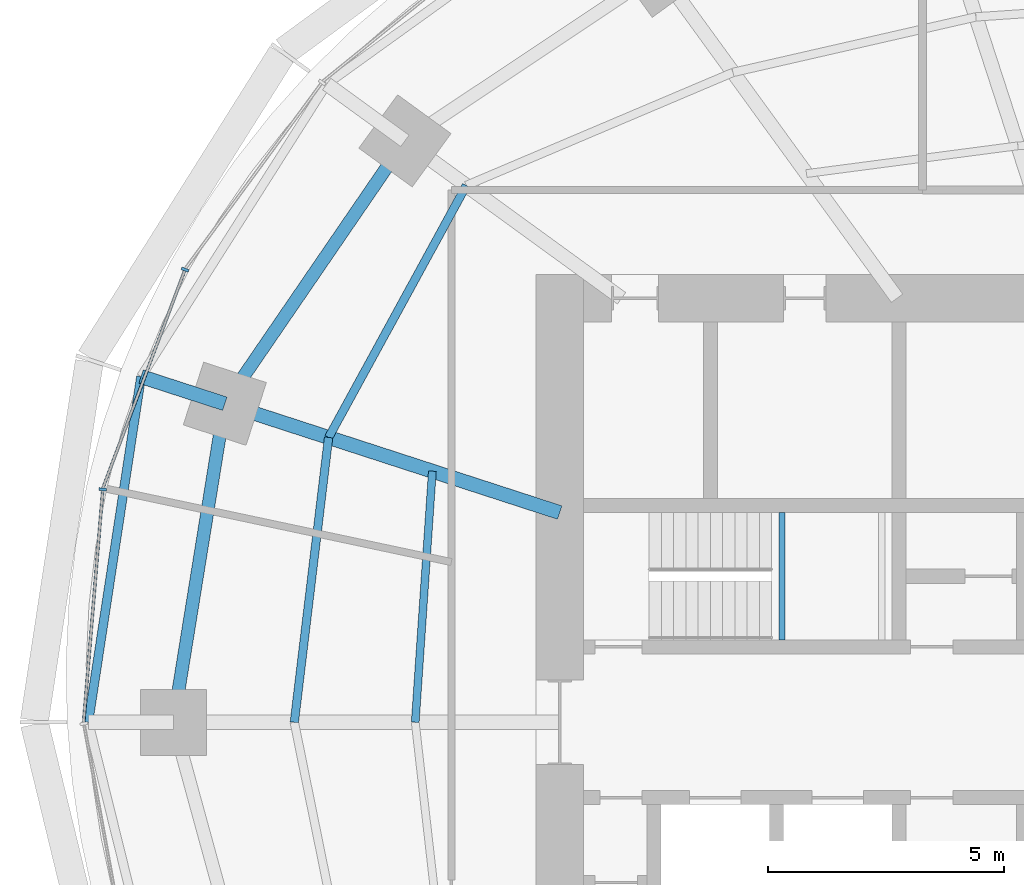
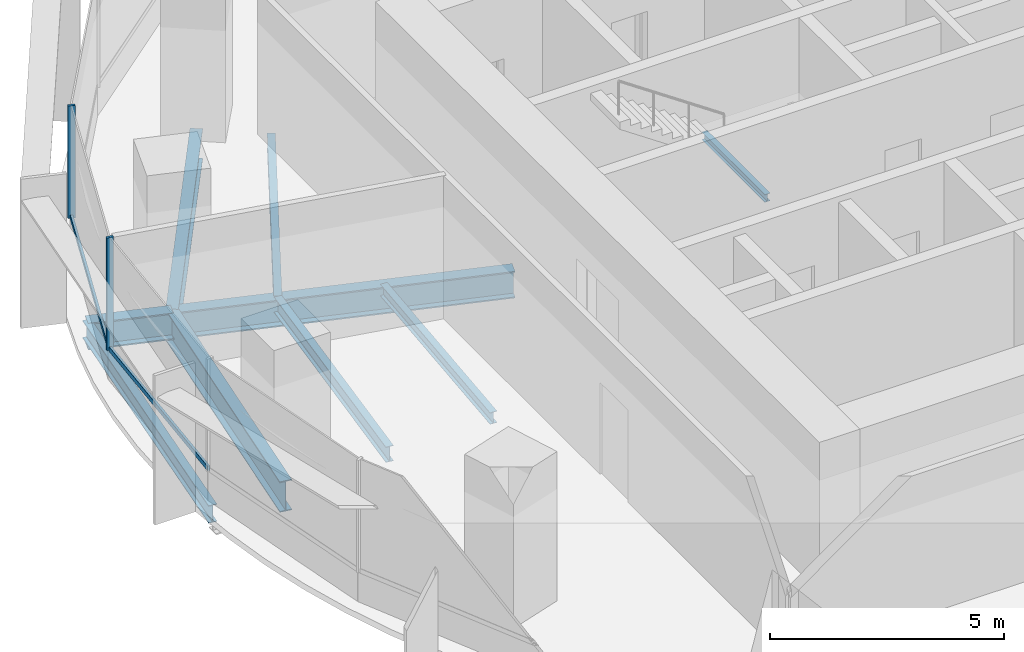
# One storey, part 4 of 15: 9 beams, 4 members, 1 element without a shape of its own.
"""IFC4 building model written with IfcOpenShell, lengths in metres."""

import ifcopenshell
import ifcopenshell.guid

model = None  # the IFC model being written
_history = None  # IfcOwnerHistory: only IFC2X3 demands one
_inside = {}  # id of a spatial element -> (the spatial element, [elements in it])
_under = {}  # id of a project, library or spatial element -> (it, [spatial elements below it])
_declared = {}  # id of a project -> (the project, [libraries it declares])
_typed = {}  # id of a type object -> (the type object, [elements of that type])
_made_of = {}  # id of a material, layer set ... -> (it, [elements and type objects made of it])


def new_model(schema):
    """Start an empty IFC model of exactly this schema.

    Asked for "IFC4X3", IfcOpenShell would pick the latest addendum, in which some entities
    have other attributes; the version numbers below select the first issue.
    IFC2X3 requires an IfcOwnerHistory on every rooted entity: one is made here for all.
    """
    global model, _history
    if schema == "IFC4X3":
        model = ifcopenshell.file(schema_version=(4, 3, 0, 0))
    else:
        model = ifcopenshell.file(schema=schema)
    _inside.clear()
    _under.clear()
    _declared.clear()
    _typed.clear()
    _made_of.clear()
    _history = None
    if model.schema == "IFC2X3":
        org = make("IfcOrganization", Name="unknown")
        user = make(
            "IfcPersonAndOrganization",
            ThePerson=make("IfcPerson", FamilyName="unknown"),
            TheOrganization=org,
        )
        app = make(
            "IfcApplication",
            ApplicationDeveloper=org,
            Version="unknown",
            ApplicationFullName="unknown",
            ApplicationIdentifier="unknown",
        )
        _history = make(
            "IfcOwnerHistory",
            OwningUser=user,
            OwningApplication=app,
            ChangeAction="ADDED",
            CreationDate=0,
        )
    return model


def make(cls, **values):
    """One entity of the class cls with the attributes given. An attribute that is None is left unset."""
    return model.create_entity(
        cls, **{name: value for name, value in values.items() if value is not None}
    )


def rooted(cls, **values):
    """An entity with a GlobalId (a new one), such as an element, a storey or a relation."""
    return make(cls, GlobalId=ifcopenshell.guid.new(), OwnerHistory=_history, **values)


def si_unit(unit_type, name, prefix=None):
    """IfcSIUnit, for example si_unit("LENGTHUNIT", "METRE", prefix="MILLI")."""
    return make("IfcSIUnit", UnitType=unit_type, Prefix=prefix, Name=name)


def assignment(units):
    """IfcUnitAssignment: the units of a project."""
    return None if units is None else make("IfcUnitAssignment", Units=units)


def point(xyz):
    """IfcCartesianPoint."""
    return None if xyz is None else make("IfcCartesianPoint", Coordinates=xyz)


def direction(xyz):
    """IfcDirection."""
    return None if xyz is None else make("IfcDirection", DirectionRatios=xyz)


def frame(location, z_axis=None, x_axis=None):
    """IfcAxis2Placement3D, a coordinate frame: its origin and axes. An axis left out is left unset."""
    return make(
        "IfcAxis2Placement3D",
        Location=point(location),
        Axis=direction(z_axis),
        RefDirection=direction(x_axis),
    )


def frame_2d(location, x_axis=None):
    """IfcAxis2Placement2D, a coordinate frame in the plane: its origin and x axis."""
    return make(
        "IfcAxis2Placement2D", Location=point(location), RefDirection=direction(x_axis)
    )


def origin():
    """The frame at (0, 0, 0) with its axes left unset."""
    return frame((0.0, 0.0, 0.0))


def origin_2d():
    """The frame at (0, 0) in the plane with its x axis left unset."""
    return frame_2d((0.0, 0.0))


def place(relative_to, where):
    """IfcLocalPlacement: puts the frame where relative to a parent placement (None: the world)."""
    return make(
        "IfcLocalPlacement", PlacementRelTo=relative_to, RelativePlacement=where
    )


def context(
    kind, dimensions, precision=None, world=None, true_north=None, identifier=None
):
    """IfcGeometricRepresentationContext, for example the 3D "Model" context."""
    return make(
        "IfcGeometricRepresentationContext",
        ContextIdentifier=identifier,
        ContextType=kind,
        CoordinateSpaceDimension=dimensions,
        Precision=precision,
        WorldCoordinateSystem=world,
        TrueNorth=true_north,
    )


def subcontext(parent, identifier, kind, view, scale=None):
    """IfcGeometricRepresentationSubContext, for example "Body" below "Model"."""
    return make(
        "IfcGeometricRepresentationSubContext",
        ContextIdentifier=identifier,
        ContextType=kind,
        ParentContext=parent,
        TargetScale=scale,
        TargetView=view,
    )


def project(units=None, contexts=None):
    """IfcProject with its units and contexts."""
    return rooted(
        "IfcProject",
        Name="project",
        RepresentationContexts=contexts,
        UnitsInContext=assignment(units),
    )


def spatial(cls, under=None, at=None, **own):
    """A site, building, storey or space (cls), placed at a placement, below another one or the project."""
    s = rooted(cls, ObjectPlacement=at, **own)
    if under is not None:
        _under.setdefault(under.id(), (under, []))[1].append(s)
    return s


def profile(cls, at=None, kind="AREA", **sizes):
    """A parametric profile (cls). Its sizes go by their IFC names, for example OverallWidth=200.0."""
    return make(cls, ProfileType=kind, Position=at, **sizes)


def rectangle(**sizes):
    """IfcRectangleProfileDef."""
    return profile("IfcRectangleProfileDef", **sizes)


def i_section(**sizes):
    """IfcIShapeProfileDef."""
    return profile("IfcIShapeProfileDef", **sizes)


def extrude(swept, where, along, depth):
    """IfcExtrudedAreaSolid: the profile swept, set in the frame where, extruded along a direction by depth."""
    return make(
        "IfcExtrudedAreaSolid",
        SweptArea=swept,
        Position=where,
        ExtrudedDirection=direction(along),
        Depth=depth,
    )


def shape(context_of_items, identifier, shape_type, items):
    """IfcShapeRepresentation: the items that make up one representation, for example the "Body"."""
    return make(
        "IfcShapeRepresentation",
        ContextOfItems=context_of_items,
        RepresentationIdentifier=identifier,
        RepresentationType=shape_type,
        Items=items,
    )


def material(Name=None, Category=None):
    """IfcMaterial."""
    return make("IfcMaterial", Name=Name, Category=Category)


def material_profile(
    of_material, cross_section, Name=None, Category=None, Priority=None
):
    """IfcMaterialProfile: a cross section and its material."""
    return make(
        "IfcMaterialProfile",
        Name=Name,
        Material=of_material,
        Profile=cross_section,
        Priority=Priority,
        Category=Category,
    )


def profile_set(profiles, Name=None, composite=None):
    """IfcMaterialProfileSet."""
    return make(
        "IfcMaterialProfileSet",
        Name=Name,
        MaterialProfiles=profiles,
        CompositeProfile=composite,
    )


def made_of(thing, what):
    """Note that an element or type object is made of a material, layer set ...; save() writes the relation."""
    if what is not None:
        _made_of.setdefault(what.id(), (what, []))[1].append(thing)
    return thing


def type_object(cls, material=None, **own):
    """A type object (cls), such as IfcWallType, which elements share."""
    return made_of(rooted(cls, **own), material)


def element(
    cls,
    number,
    at=None,
    inside=None,
    cuts=None,
    type_object=None,
    material=None,
    context=None,
    identifier="Body",
    shape_type=None,
    held_by="IfcProductDefinitionShape",
    body=None,
    shapes=None,
    **own,
):
    """One element of the class cls, such as IfcWall. Its Tag is "e" and its number.

    at: its placement. inside: the storey or other place that contains it. cuts: it is an
    opening in that element (IfcRelVoidsElement). A single representation is given by context,
    identifier, shape_type and body (its items); several are given by shapes. held_by: the class
    of the entity that holds the representations. save() writes the other relations.
    """
    e = rooted(cls, Tag="e%d" % number, ObjectPlacement=at, **own)
    if body is not None:
        shapes = [shape(context, identifier, shape_type, body)]
    if shapes is not None:
        e.Representation = make(held_by, Representations=shapes)
    if inside is not None:
        _inside.setdefault(inside.id(), (inside, []))[1].append(e)
    if cuts is not None:
        rooted(
            "IfcRelVoidsElement", RelatingBuildingElement=cuts, RelatedOpeningElement=e
        )
    if type_object is not None:
        _typed.setdefault(type_object.id(), (type_object, []))[1].append(e)
    return made_of(e, material)


def aggregate(whole, parts):
    """IfcRelAggregates: a whole, such as a stair, and the parts it consists of."""
    return rooted("IfcRelAggregates", RelatingObject=whole, RelatedObjects=parts)


def save(model, path):
    """Write the relations noted so far, then the file.

    IfcRelAggregates (storeys below a building ...), IfcRelContainedInSpatialStructure (elements
    in a storey), IfcRelDefinesByType, IfcRelAssociatesMaterial and IfcRelDeclares: one each for
    every whole, place, type object, material and project.
    """
    for whole, parts in _under.values():
        aggregate(whole, parts)
    for where, things in _inside.values():
        rooted(
            "IfcRelContainedInSpatialStructure",
            RelatedElements=things,
            RelatingStructure=where,
        )
    for kind, things in _typed.values():
        rooted("IfcRelDefinesByType", RelatedObjects=things, RelatingType=kind)
    for what, things in _made_of.values():
        rooted("IfcRelAssociatesMaterial", RelatedObjects=things, RelatingMaterial=what)
    for by, libraries in _declared.values():
        rooted("IfcRelDeclares", RelatingContext=by, RelatedDefinitions=libraries)
    model.write(path)


model = new_model("IFC4")

# Units and contexts
model_context = context("Model", 3, precision=1e-05, world=origin(), true_north=direction((0.0, 1.0)))
body_context = subcontext(model_context, "Body", "Model", "MODEL_VIEW")
ifc_project = project(units=[si_unit("LENGTHUNIT", "METRE"), si_unit("AREAUNIT", "SQUARE_METRE"), si_unit("VOLUMEUNIT", "CUBIC_METRE"), si_unit("PLANEANGLEUNIT", "RADIAN"), si_unit("MASSUNIT", "GRAM", prefix="KILO")], contexts=[model_context])

# Site, building, storey
site_placement = place(None, origin())
site = spatial("IfcSite", under=ifc_project, at=site_placement, CompositionType="ELEMENT")
building_placement = place(site_placement, origin())
building = spatial("IfcBuilding", under=site, at=building_placement, Name="Marramba Exchange Tower", CompositionType="ELEMENT")
storey_placement = place(building_placement, frame((0.0, 0.0, 230.60009765625)))
storey = spatial("IfcBuildingStorey", under=building, at=storey_placement, Name="L56", CompositionType="ELEMENT", Elevation=230.60009765625)

# Beams
ifc_material_1 = material(Name="Steel AS/NZS 3679.2 grade 300", Category="steel")
ifc_material_profile_1 = material_profile(ifc_material_1, i_section(OverallWidth=0.300048828125, OverallDepth=0.699951171875, WebThickness=0.010009765625, FlangeThickness=0.031982421875, at=origin_2d()), Name="700WB173")
ifc_profile_set_1 = profile_set([ifc_material_profile_1], Name="Steel AS/NZS 3679.2 grade 300")
beam_type_1 = type_object("IfcBeamType", Name="Cantilever girder 700WB173", PredefinedType="BEAM", material=ifc_profile_set_1)
beam_1_placement = place(storey_placement, frame((-20.808349609375, 6.760986328125, -0.510009765625), z_axis=(-0.951047511993, 0.309044705395, 0.0), x_axis=(-0.309044705395, -0.951047511993, 0.0)))
element("IfcBeam", 1, at=beam_1_placement, inside=storey, type_object=beam_type_1, Name="Cantilever girder L56 TC10", PredefinedType="BEAM", context=body_context, shape_type="SweptSolid", body=[
    extrude(i_section(OverallWidth=0.300048828125, OverallDepth=0.699951171875, WebThickness=0.010009765625, FlangeThickness=0.031982421875, at=origin_2d()), origin(), (0.0, 0.0, 1.0), 1.868408203125),
])
ifc_material_2 = material(Name="Steel AS/NZS 3679.1 grade 300", Category="steel")
ifc_material_profile_2 = material_profile(ifc_material_2, i_section(OverallWidth=0.166015625, OverallDepth=0.306884765625, WebThickness=0.006591796875, FlangeThickness=0.01171875, FilletRadius=0.011474609375, at=origin_2d()), Name="310UB46.2")
ifc_profile_set_2 = profile_set([ifc_material_profile_2], Name="Steel AS/NZS 3679.1 grade 300")
beam_type_2 = type_object("IfcBeamType", Name="Floor joist 310UB46.2", PredefinedType="JOIST", material=ifc_profile_set_2)
beam_2_placement = place(storey_placement, frame((-16.40283203125, 5.32958984375, -0.3134765625), z_axis=(-0.068096259546, -0.99767875563, 0.0), x_axis=(0.99767875563, -0.068096259546, 0.0)))
element("IfcBeam", 2, at=beam_2_placement, inside=storey, type_object=beam_type_2, Name="Joist L56 bay 10 row 1", PredefinedType="JOIST", context=body_context, shape_type="SweptSolid", body=[
    extrude(i_section(OverallWidth=0.166015625, OverallDepth=0.306884765625, WebThickness=0.006591796875, FlangeThickness=0.01171875, FilletRadius=0.011474609375, at=origin_2d()), origin(), (0.0, 0.0, 1.0), 5.342041015625),
])
ifc_material_profile_3 = material_profile(ifc_material_2, i_section(OverallWidth=0.177978515625, OverallDepth=0.406005859375, WebThickness=0.0078125, FlangeThickness=0.0126953125, FilletRadius=0.011474609375, at=origin_2d()), Name="410UB59.7")
ifc_profile_set_3 = profile_set([ifc_material_profile_3], Name="Steel AS/NZS 3679.1 grade 300")
beam_type_3 = type_object("IfcBeamType", Name="Floor joist 410UB59.7", PredefinedType="JOIST", material=ifc_profile_set_3)
beam_3_placement = place(storey_placement, frame((-15.682373046875, 11.393798828125, -0.363037109375), z_axis=(-0.479584443791, -0.877495732909, 0.0), x_axis=(0.877495732909, -0.479584443791, 0.0)))
element("IfcBeam", 3, at=beam_3_placement, inside=storey, type_object=beam_type_3, Name="Joist L56 bay 09 row 2", PredefinedType="JOIST", context=body_context, shape_type="SweptSolid", body=[
    extrude(i_section(OverallWidth=0.177978515625, OverallDepth=0.406005859375, WebThickness=0.0078125, FlangeThickness=0.0126953125, FilletRadius=0.011474609375, at=origin_2d()), origin(), (0.0, 0.0, 1.0), 6.094970703125),
])
beam_4_placement = place(storey_placement, frame((-18.60546875, 6.04541015625, -0.363037109375), z_axis=(-0.119523078538, -0.992831422597, 0.0), x_axis=(0.992831422597, -0.119523078538, 0.0)))
element("IfcBeam", 4, at=beam_4_placement, inside=storey, type_object=beam_type_3, Name="Joist L56 bay 10 row 2", PredefinedType="JOIST", context=body_context, shape_type="SweptSolid", body=[
    extrude(i_section(OverallWidth=0.177978515625, OverallDepth=0.406005859375, WebThickness=0.0078125, FlangeThickness=0.0126953125, FilletRadius=0.011474609375, at=origin_2d()), origin(), (0.0, 0.0, 1.0), 6.089111328125),
])

# Curtain wall, members
ifc_material_3 = material(Name="Aluminium framing, bronze anodised", Category="aluminium")
curtain_wall_type = type_object("IfcCurtainWallType", Name="Office ribbon curtain wall", PredefinedType="USERDEFINED", material=ifc_material_3)
curtain_wall_placement = place(storey_placement, origin())
curtain_wall = element("IfcCurtainWall", 5, at=curtain_wall_placement, inside=storey, type_object=curtain_wall_type, Name="Curtain wall CW4 L56 F11-F15", ObjectType="RIBBON CURTAIN WALL", PredefinedType="USERDEFINED")
ifc_material_4 = material(Name="Aluminium mullion, bronze anodised", Category="aluminium")
ifc_material_profile_4 = material_profile(ifc_material_4, rectangle(XDim=0.159912109375, YDim=0.06005859375, at=origin_2d()), Name="CW4 mullion 60x160")
ifc_profile_set_4 = profile_set([ifc_material_profile_4], Name="Aluminium mullion, bronze anodised")
member_type_1 = type_object("IfcMemberType", Name="Office ribbon curtain wall mullion", PredefinedType="MULLION", material=ifc_profile_set_4)
member_1_placement = place(storey_placement, frame((-21.65283203125, 9.607666015625, 0.7998046875), z_axis=(0.0, 0.0, 1.0), x_axis=(0.936018231909, -0.351951515885, 0.0)))
member_1 = element("IfcMember", 6, at=member_1_placement, type_object=member_type_1, Name="CW4 mullion 1", PredefinedType="MULLION", context=body_context, shape_type="SweptSolid", body=[
    extrude(rectangle(XDim=0.159912109375, YDim=0.06005859375, at=origin_2d()), origin(), (0.0, 0.0, 1.0), 2.940185546875),
])
member_2_placement = place(storey_placement, frame((-23.39794921875, 4.94287109375, 0.7998046875), z_axis=(0.0, 0.0, 1.0), x_axis=(0.996609178714, -0.082280890264, 0.0)))
member_2 = element("IfcMember", 7, at=member_2_placement, type_object=member_type_1, Name="CW4 mullion 1", PredefinedType="MULLION", context=body_context, shape_type="SweptSolid", body=[
    extrude(rectangle(XDim=0.159912109375, YDim=0.06005859375, at=origin_2d()), origin(), (0.0, 0.0, 1.0), 2.940185546875),
])
ifc_material_5 = material(Name="Aluminium transom, bronze anodised", Category="aluminium")
ifc_material_profile_5 = material_profile(ifc_material_5, rectangle(XDim=0.06005859375, YDim=0.1201171875, at=origin_2d()), Name="CW4 transom 60x120")
ifc_profile_set_5 = profile_set([ifc_material_profile_5], Name="Aluminium transom, bronze anodised")
member_type_2 = type_object("IfcMemberType", Name="Office ribbon curtain wall transom", PredefinedType="USERDEFINED", material=ifc_profile_set_5)
member_3_placement = place(storey_placement, frame((-21.663330078125, 9.57958984375, 0.829833984375), z_axis=(-0.351955054115, -0.936016901494, 0.0), x_axis=(0.936016901494, -0.351955054115, 0.0)))
member_3 = element("IfcMember", 8, at=member_3_placement, type_object=member_type_2, Name="CW4 sill transom", ObjectType="TRANSOM", PredefinedType="USERDEFINED", context=body_context, shape_type="SweptSolid", body=[
    extrude(rectangle(XDim=0.06005859375, YDim=0.1201171875, at=origin_2d()), origin(), (0.0, 0.0, 1.0), 4.921630859375),
])
member_4_placement = place(storey_placement, frame((-23.400390625, 4.9130859375, 0.829833984375), z_axis=(-0.082258542539, -0.996611023509, 0.0), x_axis=(0.996611023509, -0.082258542539, 0.0)))
member_4 = element("IfcMember", 9, at=member_4_placement, type_object=member_type_2, Name="CW4 sill transom", ObjectType="TRANSOM", PredefinedType="USERDEFINED", context=body_context, shape_type="SweptSolid", body=[
    extrude(rectangle(XDim=0.06005859375, YDim=0.1201171875, at=origin_2d()), origin(), (0.0, 0.0, 1.0), 4.9296875),
])
aggregate(curtain_wall, [member_1, member_3, member_2, member_4])

# Beams
ifc_material_profile_6 = material_profile(ifc_material_1, i_section(OverallWidth=0.300048828125, OverallDepth=0.699951171875, WebThickness=0.010009765625, FlangeThickness=0.031982421875, at=origin_2d()), Name="700WB173")
ifc_profile_set_6 = profile_set([ifc_material_profile_6], Name="Steel AS/NZS 3679.2 grade 300")
beam_type_4 = type_object("IfcBeamType", Name="Radial girder 700WB173", PredefinedType="BEAM", material=ifc_profile_set_6)
beam_5_placement = place(storey_placement, frame((-13.699951171875, 4.451416015625, -0.510009765625), z_axis=(-0.951059990189, 0.309006302624, 0.0), x_axis=(-0.309006302624, -0.951059990189, 0.0)))
element("IfcBeam", 10, at=beam_5_placement, inside=storey, type_object=beam_type_4, Name="Radial girder L56 TC10", PredefinedType="BEAM", context=body_context, shape_type="SweptSolid", body=[
    extrude(i_section(OverallWidth=0.300048828125, OverallDepth=0.699951171875, WebThickness=0.010009765625, FlangeThickness=0.031982421875, at=origin_2d()), origin(), (0.0, 0.0, 1.0), 7.47412109375),
])
ifc_material_profile_7 = material_profile(ifc_material_1, i_section(OverallWidth=0.27490234375, OverallDepth=0.800048828125, WebThickness=0.010009765625, FlangeThickness=0.02490234375, at=origin_2d()), Name="800WB168")
ifc_profile_set_7 = profile_set([ifc_material_profile_7], Name="Steel AS/NZS 3679.2 grade 300")
beam_type_5 = type_object("IfcBeamType", Name="Ring beam 800WB168", PredefinedType="SPANDREL", material=ifc_profile_set_7)
beam_6_placement = place(storey_placement, frame((-16.98583984375, 12.3408203125, -0.56005859375), z_axis=(-0.56516002054, -0.824981303535, 0.0), x_axis=(0.824981303535, -0.56516002054, 0.0)))
element("IfcBeam", 11, at=beam_6_placement, inside=storey, type_object=beam_type_5, Name="Ring beam L56 TC09-TC10", PredefinedType="SPANDREL", context=body_context, shape_type="SweptSolid", body=[
    extrude(i_section(OverallWidth=0.27490234375, OverallDepth=0.800048828125, WebThickness=0.010009765625, FlangeThickness=0.02490234375, at=origin_2d()), origin(), (0.0, 0.0, 1.0), 6.763671875),
])
beam_7_placement = place(storey_placement, frame((-20.808349609375, 6.760986328125, -0.56005859375), z_axis=(-0.159384865399, -0.987216523708, 0.0), x_axis=(0.987216523708, -0.159384865399, 0.0)))
element("IfcBeam", 12, at=beam_7_placement, inside=storey, type_object=beam_type_5, Name="Ring beam L56 TC10-TC11", PredefinedType="SPANDREL", context=body_context, shape_type="SweptSolid", body=[
    extrude(i_section(OverallWidth=0.27490234375, OverallDepth=0.800048828125, WebThickness=0.010009765625, FlangeThickness=0.02490234375, at=origin_2d()), origin(), (0.0, 0.0, 1.0), 6.8486328125),
])
ifc_material_profile_8 = material_profile(ifc_material_2, i_section(OverallWidth=0.19091796875, OverallDepth=0.4599609375, WebThickness=0.010009765625, FlangeThickness=0.01611328125, FilletRadius=0.011474609375, at=origin_2d()), Name="460UB82.1")
ifc_profile_set_8 = profile_set([ifc_material_profile_8], Name="Steel AS/NZS 3679.1 grade 300")
beam_type_6 = type_object("IfcBeamType", Name="Slab edge beam 460UB82.1", PredefinedType="SPANDREL", material=ifc_profile_set_8)
beam_8_placement = place(storey_placement, frame((-22.585205078125, 7.33837890625, -0.39013671875), z_axis=(-0.150987012186, -0.988535746522, 0.0), x_axis=(0.988535746522, -0.150987012186, 0.0)))
element("IfcBeam", 13, at=beam_8_placement, inside=storey, type_object=beam_type_6, Name="Slab edge beam L56 TC10-TC11", PredefinedType="SPANDREL", context=body_context, shape_type="SweptSolid", body=[
    extrude(i_section(OverallWidth=0.19091796875, OverallDepth=0.4599609375, WebThickness=0.010009765625, FlangeThickness=0.01611328125, FilletRadius=0.011474609375, at=origin_2d()), origin(), (0.0, 0.0, 1.0), 7.423583984375),
])
ifc_material_profile_9 = material_profile(ifc_material_2, i_section(OverallWidth=0.133056640625, OverallDepth=0.202880859375, WebThickness=0.005859375, FlangeThickness=0.0078125, FilletRadius=0.0087890625, at=origin_2d()), Name="200UB25.4")
ifc_profile_set_9 = profile_set([ifc_material_profile_9], Name="Steel AS/NZS 3679.1 grade 300")
beam_type_7 = type_object("IfcBeamType", Name="Stair landing beam 200UB25.4", PredefinedType="BEAM", material=ifc_profile_set_9)
beam_9_placement = place(storey_placement, frame((-8.9833984375, 1.75, 1.6484375), z_axis=(0.0, 1.0, 0.0), x_axis=(-1.0, 0.0, 0.0)))
element("IfcBeam", 14, at=beam_9_placement, inside=storey, type_object=beam_type_7, Name="Stair landing beam SLB1 ST1 L56 1", PredefinedType="BEAM", context=body_context, shape_type="SweptSolid", body=[
    extrude(i_section(OverallWidth=0.133056640625, OverallDepth=0.202880859375, WebThickness=0.005859375, FlangeThickness=0.0078125, FilletRadius=0.0087890625, at=origin_2d()), origin(), (0.0, 0.0, 1.0), 2.699951171875),
])

save(model, "model.ifc")
